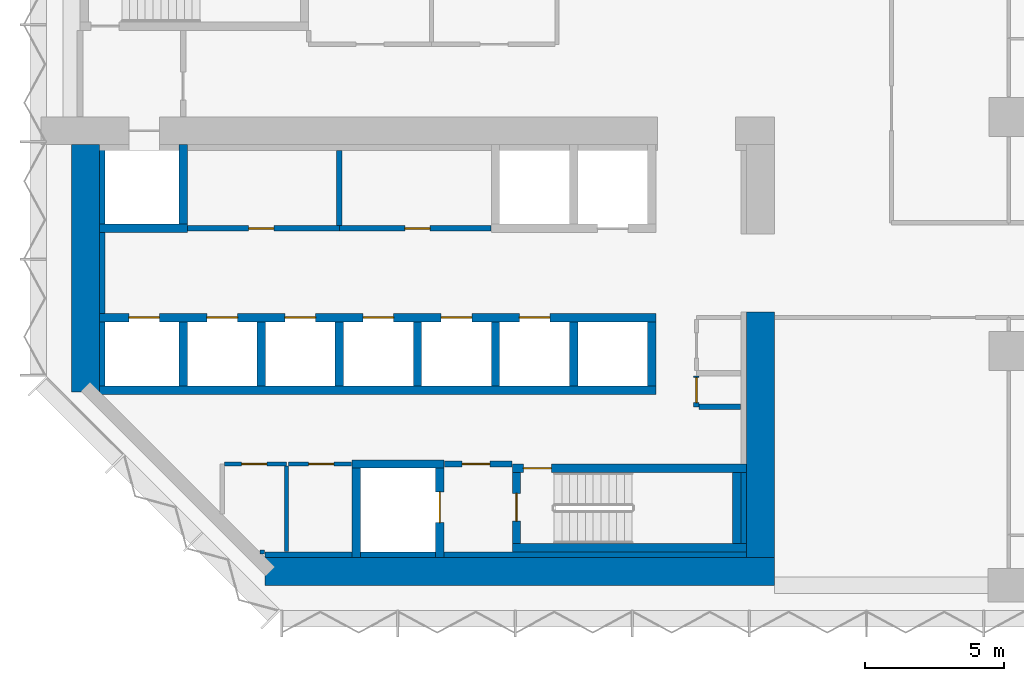
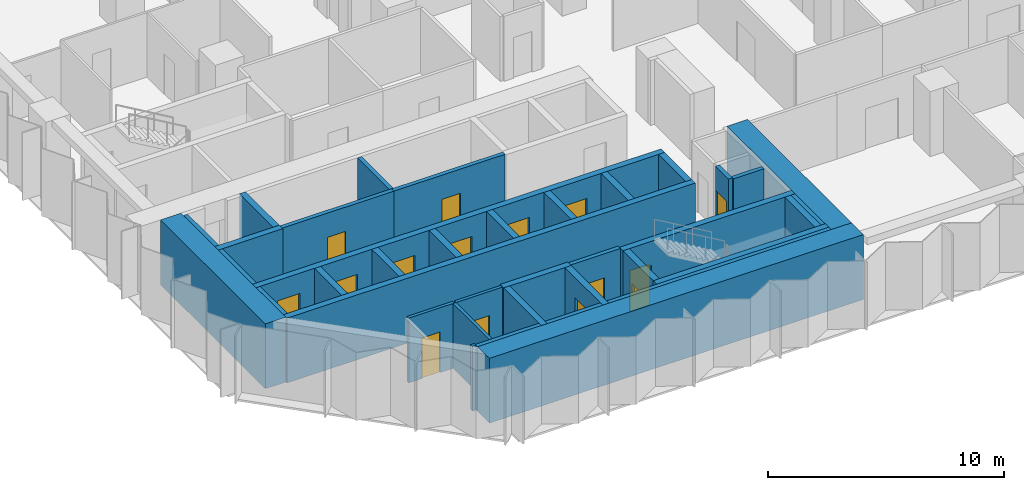
# One storey, part 7 of 15: 38 walls, 15 doors, 15 openings.
"""IFC4 building model written with IfcOpenShell, lengths in metres."""

from ifc_helpers import new_model, si_unit, direction, frame, frame_2d, origin, place, context, subcontext, project, spatial, rectangle, extrude, material, layer, layer_set, type_object, element, fill, save


model = new_model("IFC4")

# Units and contexts
model_context = context("Model", 3, precision=1e-05, world=origin(), true_north=direction((0.0, 1.0)))
body_context = subcontext(model_context, "Body", "Model", "MODEL_VIEW")
ifc_project = project(units=[si_unit("LENGTHUNIT", "METRE"), si_unit("AREAUNIT", "SQUARE_METRE"), si_unit("VOLUMEUNIT", "CUBIC_METRE"), si_unit("PLANEANGLEUNIT", "RADIAN"), si_unit("MASSUNIT", "GRAM", prefix="KILO")], contexts=[model_context])

# Site, building, storey
site_placement = place(None, origin())
site = spatial("IfcSite", under=ifc_project, at=site_placement, CompositionType="ELEMENT")
building_placement = place(site_placement, origin())
building = spatial("IfcBuilding", under=site, at=building_placement, Name="Brevane Broadcast Tower", CompositionType="ELEMENT")
storey_placement = place(building_placement, frame((0.0, 0.0, 43.699951171875)))
storey = spatial("IfcBuildingStorey", under=building, at=storey_placement, Name="L08", CompositionType="ELEMENT", Elevation=43.699951171875)

# Walls
ifc_material_1 = material(Name="Concrete C32/40", Category="concrete")
ifc_layer_1 = layer(ifc_material_1, 0.199951171875)
ifc_layer_set_1 = layer_set([ifc_layer_1], Name="Core chase wall 200 mm")
wall_type_1 = type_object("IfcWallType", Name="Core chase wall 200 mm", PredefinedType="PARTITIONING", material=ifc_layer_set_1)
wall_1_placement = place(storey_placement, frame((1.10009765625, 7.14990234375, 0.0), z_axis=(0.0, 0.0, 1.0), x_axis=(0.0, 1.0, 0.0)))
element("IfcWall", 1, at=wall_1_placement, inside=storey, type_object=wall_type_1, Name="L08 chase wall LW-2-1", PredefinedType="PARTITIONING", context=body_context, shape_type="SweptSolid", body=[
    extrude(rectangle(XDim=2.300048828125, YDim=0.199951171875, at=frame_2d((1.14990234375, 0.0))), origin(), (0.0, 0.0, 1.0), 3.35009765625),
])
wall_2_placement = place(storey_placement, frame((1.10009765625, 9.75, 0.0), z_axis=(0.0, 0.0, 1.0), x_axis=(0.0, 1.0, 0.0)))
element("IfcWall", 2, at=wall_2_placement, inside=storey, type_object=wall_type_1, Name="L08 chase wall LW-2-2-1", PredefinedType="PARTITIONING", context=body_context, shape_type="SweptSolid", body=[
    extrude(rectangle(XDim=2.89990234375, YDim=0.199951171875, at=frame_2d((1.449951171875, 0.0))), origin(), (0.0, 0.0, 1.0), 3.35009765625),
])
wall_3_placement = place(storey_placement, frame((1.10009765625, 12.949951171875, 0.0), z_axis=(0.0, 0.0, 1.0), x_axis=(0.0, 1.0, 0.0)))
element("IfcWall", 3, at=wall_3_placement, inside=storey, type_object=wall_type_1, Name="L08 chase wall LW-2-2-2", PredefinedType="PARTITIONING", context=body_context, shape_type="SweptSolid", body=[
    extrude(rectangle(XDim=2.650146484375, YDim=0.199951171875, at=frame_2d((1.3251953125, 0.0))), origin(), (0.0, 0.0, 1.0), 3.35009765625),
])
wall_4_placement = place(storey_placement, frame((6.936279296875, 1.10009765625, 0.0), z_axis=(0.0, 0.0, 1.0), x_axis=(1.0, 0.0, 0.0)))
element("IfcWall", 4, at=wall_4_placement, inside=storey, type_object=wall_type_1, Name="L08 chase wall LS-1", PredefinedType="PARTITIONING", context=body_context, shape_type="SweptSolid", body=[
    extrude(rectangle(XDim=3.11376953125, YDim=0.199951171875, at=frame_2d((1.556884765625, 0.0))), origin(), (0.0, 0.0, 1.0), 3.35009765625),
])
wall_5_placement = place(storey_placement, frame((10.35009765625, 1.10009765625, 0.0), z_axis=(0.0, 0.0, 1.0), x_axis=(1.0, 0.0, 0.0)))
element("IfcWall", 5, at=wall_5_placement, inside=storey, type_object=wall_type_1, Name="L08 chase wall LS-2-1", PredefinedType="PARTITIONING", context=body_context, shape_type="SweptSolid", body=[
    extrude(rectangle(XDim=2.699951171875, YDim=0.199951171875, at=frame_2d((1.35009765625, 0.0))), origin(), (0.0, 0.0, 1.0), 3.35009765625),
])
wall_6_placement = place(storey_placement, frame((13.35009765625, 1.10009765625, 0.0), z_axis=(0.0, 0.0, 1.0), x_axis=(1.0, 0.0, 0.0)))
element("IfcWall", 6, at=wall_6_placement, inside=storey, type_object=wall_type_1, Name="L08 chase wall LS-2-2", PredefinedType="PARTITIONING", context=body_context, shape_type="SweptSolid", body=[
    extrude(rectangle(XDim=10.849853515625, YDim=0.199951171875, at=frame_2d((5.4248046875, 0.0))), origin(), (0.0, 0.0, 1.0), 3.35009765625),
])
wall_7_placement = place(storey_placement, frame((24.10009765625, 1.5, 0.0), z_axis=(0.0, 0.0, 1.0), x_axis=(0.0, 1.0, 0.0)))
element("IfcWall", 7, at=wall_7_placement, inside=storey, type_object=wall_type_1, Name="L08 chase wall LE1-2-1", PredefinedType="PARTITIONING", context=body_context, shape_type="SweptSolid", body=[
    extrude(rectangle(XDim=2.550048828125, YDim=0.199951171875, at=frame_2d((1.27490234375, 0.0))), origin(), (0.0, 0.0, 1.0), 3.35009765625),
])

# Wall, opening, door
ifc_material_2 = material(Name="Gypsum board on steel studs", Category="steel")
ifc_layer_2 = layer(ifc_material_2, 0.14990234375)
ifc_layer_set_2 = layer_set([ifc_layer_2], Name="Core fire partition 150 mm")
wall_type_2 = type_object("IfcWallType", Name="Core fire partition 150 mm", PredefinedType="PARTITIONING", material=ifc_layer_set_2)
wall_8_placement = place(storey_placement, frame((5.47509765625, 4.35009765625, 0.0), z_axis=(0.0, 0.0, 1.0), x_axis=(1.0, 0.0, 0.0)))
wall_8 = element("IfcWall", 8, at=wall_8_placement, inside=storey, type_object=wall_type_2, Name="L08 partition wall P11", PredefinedType="PARTITIONING", context=body_context, shape_type="SweptSolid", body=[
    extrude(rectangle(XDim=2.224853515625, YDim=0.14990234375, at=frame_2d((1.1123046875, 0.0))), origin(), (0.0, 0.0, 1.0), 3.35009765625),
])
opening_1_placement = place(wall_8_placement, frame((0.625, 0.0, 0.0)))
opening_1 = element("IfcOpeningElement", 9, at=opening_1_placement, cuts=wall_8, Name="Opening L08-K16", PredefinedType="OPENING", context=body_context, shape_type="SweptSolid", body=[
    extrude(rectangle(XDim=0.89990234375, YDim=2.10009765625, at=frame_2d((0.449951171875, 1.050048828125))), frame((0.0, 0.0849609375, 0.0), z_axis=(0.0, -1.0, 0.0), x_axis=(1.0, 0.0, 0.0)), (0.0, 0.0, 1.0), 0.169921875),
])
ifc_material_3 = material(Name="Timber", Category="wood")
door_type_1 = type_object("IfcDoorType", Name="Toilet door 900 x 2100", OperationType="SINGLE_SWING_LEFT", PredefinedType="DOOR", material=ifc_material_3)
door_1_placement = place(opening_1_placement, origin())
door_1 = element("IfcDoor", 10, at=door_1_placement, inside=storey, type_object=door_type_1, Name="Door L08-K16", OperationType="SINGLE_SWING_RIGHT", OverallHeight=2.10009765625, OverallWidth=0.89990234375, PredefinedType="DOOR", context=body_context, shape_type="SweptSolid", body=[
    extrude(rectangle(XDim=0.89990234375, YDim=2.10009765625, at=frame_2d((0.449951171875, 1.050048828125))), frame((0.0, 0.02490234375, 0.0), z_axis=(0.0, -1.0, 0.0), x_axis=(1.0, 0.0, 0.0)), (0.0, 0.0, 1.0), 0.050048828125),
])
fill(opening_1, door_1)

# Walls
wall_9_placement = place(storey_placement, frame((7.699951171875, 4.27490234375, 0.0), z_axis=(0.0, 0.0, 1.0), x_axis=(0.0, -1.0, 0.0)))
element("IfcWall", 11, at=wall_9_placement, inside=storey, type_object=wall_type_2, Name="L08 partition wall P12", PredefinedType="PARTITIONING", context=body_context, shape_type="SweptSolid", body=[
    extrude(rectangle(XDim=3.06298828125, YDim=0.14990234375, at=frame_2d((1.531494140625, 0.0))), origin(), (0.0, 0.0, 1.0), 3.35009765625),
])
wall_10_placement = place(storey_placement, frame((6.92431640625, 1.199951171875, 0.0), z_axis=(0.0, 0.0, 1.0), x_axis=(-1.0, 0.0, 0.0)))
element("IfcWall", 12, at=wall_10_placement, inside=storey, type_object=wall_type_2, Name="L08 partition wall P13", PredefinedType="PARTITIONING", context=body_context, shape_type="SweptSolid", body=[
    extrude(rectangle(XDim=0.1708984375, YDim=0.14990234375, at=frame_2d((0.08544921875, 0.0))), origin(), (0.0, 0.0, 1.0), 3.35009765625),
])

# Wall, opening, door
wall_11_placement = place(storey_placement, frame((10.0380859375, 4.35009765625, 0.0), z_axis=(0.0, 0.0, 1.0), x_axis=(-1.0, 0.0, 0.0)))
wall_11 = element("IfcWall", 13, at=wall_11_placement, inside=storey, type_object=wall_type_2, Name="L08 partition wall P14", PredefinedType="PARTITIONING", context=body_context, shape_type="SweptSolid", body=[
    extrude(rectangle(XDim=2.26318359375, YDim=0.14990234375, at=frame_2d((1.131591796875, 0.0))), origin(), (0.0, 0.0, 1.0), 3.35009765625),
])
opening_2_placement = place(wall_11_placement, frame((0.637939453125, 0.0, 0.0)))
opening_2 = element("IfcOpeningElement", 14, at=opening_2_placement, cuts=wall_11, Name="Opening L08-K17", PredefinedType="OPENING", context=body_context, shape_type="SweptSolid", body=[
    extrude(rectangle(XDim=0.89990234375, YDim=2.10009765625, at=frame_2d((0.449951171875, 1.050048828125))), frame((0.0, 0.0849609375, 0.0), z_axis=(0.0, -1.0, 0.0), x_axis=(1.0, 0.0, 0.0)), (0.0, 0.0, 1.0), 0.169921875),
])
door_2_placement = place(opening_2_placement, origin())
door_2 = element("IfcDoor", 15, at=door_2_placement, inside=storey, type_object=door_type_1, Name="Door L08-K17", OperationType="SINGLE_SWING_LEFT", OverallHeight=2.10009765625, OverallWidth=0.89990234375, PredefinedType="DOOR", context=body_context, shape_type="SweptSolid", body=[
    extrude(rectangle(XDim=0.89990234375, YDim=2.10009765625, at=frame_2d((0.449951171875, 1.050048828125))), frame((0.0, 0.02490234375, 0.0), z_axis=(0.0, -1.0, 0.0), x_axis=(1.0, 0.0, 0.0)), (0.0, 0.0, 1.0), 0.050048828125),
])
fill(opening_2, door_2)

ifc_layer_3 = layer(ifc_material_2, 0.199951171875)
ifc_layer_set_3 = layer_set([ifc_layer_3], Name="Core fire partition 200 mm")
wall_type_3 = type_object("IfcWallType", Name="Core fire partition 200 mm", PredefinedType="PARTITIONING", material=ifc_layer_set_3)
wall_12_placement = place(storey_placement, frame((13.362060546875, 4.35009765625, 0.0), z_axis=(0.0, 0.0, 1.0), x_axis=(1.0, 0.0, 0.0)))
wall_12 = element("IfcWall", 16, at=wall_12_placement, inside=storey, type_object=wall_type_3, Name="L08 partition wall P03", PredefinedType="PARTITIONING", context=body_context, shape_type="SweptSolid", body=[
    extrude(rectangle(XDim=2.426025390625, YDim=0.199951171875, at=frame_2d((1.212890625, 0.0))), origin(), (0.0, 0.0, 1.0), 3.35009765625),
])
opening_3_placement = place(wall_12_placement, frame((0.637939453125, 0.0, 0.0)))
opening_3 = element("IfcOpeningElement", 17, at=opening_3_placement, cuts=wall_12, Name="Opening L08-K18", PredefinedType="OPENING", context=body_context, shape_type="SweptSolid", body=[
    extrude(rectangle(XDim=1.0, YDim=2.10009765625, at=frame_2d((0.5, 1.050048828125))), frame((0.0, 0.10986328125, 0.0), z_axis=(0.0, -1.0, 0.0), x_axis=(1.0, 0.0, 0.0)), (0.0, 0.0, 1.0), 0.219970703125),
])
ifc_material_4 = material(Name="Steel", Category="steel")
door_type_2 = type_object("IfcDoorType", Name="Stair door 1000 x 2100", OperationType="SINGLE_SWING_LEFT", PredefinedType="DOOR", material=ifc_material_4)
door_3_placement = place(opening_3_placement, origin())
door_3 = element("IfcDoor", 18, at=door_3_placement, inside=storey, type_object=door_type_2, Name="Door L08-K18", OperationType="SINGLE_SWING_RIGHT", OverallHeight=2.10009765625, OverallWidth=1.0, PredefinedType="DOOR", context=body_context, shape_type="SweptSolid", body=[
    extrude(rectangle(XDim=1.0, YDim=2.10009765625, at=frame_2d((0.5, 1.050048828125))), frame((0.0, 0.02490234375, 0.0), z_axis=(0.0, -1.0, 0.0), x_axis=(1.0, 0.0, 0.0)), (0.0, 0.0, 1.0), 0.050048828125),
])
fill(opening_3, door_3)

wall_13_placement = place(storey_placement, frame((4.162109375, 12.800048828125, 0.0), z_axis=(0.0, 0.0, 1.0), x_axis=(1.0, 0.0, 0.0)))
wall_13 = element("IfcWall", 19, at=wall_13_placement, inside=storey, type_object=wall_type_3, Name="L08 partition wall P04", PredefinedType="PARTITIONING", context=body_context, shape_type="SweptSolid", body=[
    extrude(rectangle(XDim=5.43798828125, YDim=0.199951171875, at=frame_2d((2.718994140625, 0.0))), origin(), (0.0, 0.0, 1.0), 3.35009765625),
])
opening_4_placement = place(wall_13_placement, frame((2.18798828125, 0.0, 0.0)))
opening_4 = element("IfcOpeningElement", 20, at=opening_4_placement, cuts=wall_13, Name="Opening L08-K21", PredefinedType="OPENING", context=body_context, shape_type="SweptSolid", body=[
    extrude(rectangle(XDim=0.89990234375, YDim=2.10009765625, at=frame_2d((0.449951171875, 1.050048828125))), frame((0.0, 0.10986328125, 0.0), z_axis=(0.0, -1.0, 0.0), x_axis=(1.0, 0.0, 0.0)), (0.0, 0.0, 1.0), 0.219970703125),
])
door_type_3 = type_object("IfcDoorType", Name="Service room door 900 x 2100", OperationType="SINGLE_SWING_LEFT", PredefinedType="DOOR", material=ifc_material_4)
door_4_placement = place(opening_4_placement, origin())
door_4 = element("IfcDoor", 21, at=door_4_placement, inside=storey, type_object=door_type_3, Name="Door L08-K21", OperationType="SINGLE_SWING_LEFT", OverallHeight=2.10009765625, OverallWidth=0.89990234375, PredefinedType="DOOR", context=body_context, shape_type="SweptSolid", body=[
    extrude(rectangle(XDim=0.89990234375, YDim=2.10009765625, at=frame_2d((0.449951171875, 1.050048828125))), frame((0.0, 0.02490234375, 0.0), z_axis=(0.0, -1.0, 0.0), x_axis=(1.0, 0.0, 0.0)), (0.0, 0.0, 1.0), 0.050048828125),
])
fill(opening_4, door_4)

wall_14_placement = place(storey_placement, frame((9.60009765625, 12.800048828125, 0.0), z_axis=(0.0, 0.0, 1.0), x_axis=(1.0, 0.0, 0.0)))
wall_14 = element("IfcWall", 22, at=wall_14_placement, inside=storey, type_object=wall_type_3, Name="L08 partition wall P05", PredefinedType="PARTITIONING", context=body_context, shape_type="SweptSolid", body=[
    extrude(rectangle(XDim=5.43798828125, YDim=0.199951171875, at=frame_2d((2.718994140625, 0.0))), origin(), (0.0, 0.0, 1.0), 3.35009765625),
])
opening_5_placement = place(wall_14_placement, frame((2.35009765625, 0.0, 0.0)))
opening_5 = element("IfcOpeningElement", 23, at=opening_5_placement, cuts=wall_14, Name="Opening L08-K22", PredefinedType="OPENING", context=body_context, shape_type="SweptSolid", body=[
    extrude(rectangle(XDim=0.89990234375, YDim=2.10009765625, at=frame_2d((0.449951171875, 1.050048828125))), frame((0.0, 0.10986328125, 0.0), z_axis=(0.0, -1.0, 0.0), x_axis=(1.0, 0.0, 0.0)), (0.0, 0.0, 1.0), 0.219970703125),
])
door_5_placement = place(opening_5_placement, origin())
door_5 = element("IfcDoor", 24, at=door_5_placement, inside=storey, type_object=door_type_3, Name="Door L08-K22", OperationType="SINGLE_SWING_RIGHT", OverallHeight=2.10009765625, OverallWidth=0.89990234375, PredefinedType="DOOR", context=body_context, shape_type="SweptSolid", body=[
    extrude(rectangle(XDim=0.89990234375, YDim=2.10009765625, at=frame_2d((0.449951171875, 1.050048828125))), frame((0.0, 0.02490234375, 0.0), z_axis=(0.0, -1.0, 0.0), x_axis=(1.0, 0.0, 0.0)), (0.0, 0.0, 1.0), 0.050048828125),
])
fill(opening_5, door_5)

# Wall
wall_15_placement = place(storey_placement, frame((9.60009765625, 15.587890625, 0.0), z_axis=(0.0, 0.0, 1.0), x_axis=(0.0, -1.0, 0.0)))
element("IfcWall", 25, at=wall_15_placement, inside=storey, type_object=wall_type_3, Name="L08 partition wall P06", PredefinedType="PARTITIONING", context=body_context, shape_type="SweptSolid", body=[
    extrude(rectangle(XDim=2.68798828125, YDim=0.199951171875, at=frame_2d((1.343994140625, 0.0))), origin(), (0.0, 0.0, 1.0), 3.35009765625),
])

# Wall, opening, door
wall_16_placement = place(storey_placement, frame((22.39990234375, 7.5, 0.0), z_axis=(0.0, 0.0, 1.0), x_axis=(0.0, -1.0, 0.0)))
wall_16 = element("IfcWall", 26, at=wall_16_placement, inside=storey, type_object=wall_type_3, Name="L08 partition wall P08", PredefinedType="PARTITIONING", context=body_context, shape_type="SweptSolid", body=[
    extrude(rectangle(XDim=1.10009765625, YDim=0.199951171875, at=frame_2d((0.550048828125, 0.0))), origin(), (0.0, 0.0, 1.0), 3.35009765625),
])
opening_6_placement = place(wall_16_placement, frame((0.050048828125, 0.0, 0.0)))
opening_6 = element("IfcOpeningElement", 27, at=opening_6_placement, cuts=wall_16, Name="Opening L08-K19", PredefinedType="OPENING", context=body_context, shape_type="SweptSolid", body=[
    extrude(rectangle(XDim=0.89990234375, YDim=2.10009765625, at=frame_2d((0.449951171875, 1.050048828125))), frame((0.0, 0.10986328125, 0.0), z_axis=(0.0, -1.0, 0.0), x_axis=(1.0, 0.0, 0.0)), (0.0, 0.0, 1.0), 0.219970703125),
])
door_6_placement = place(opening_6_placement, origin())
door_6 = element("IfcDoor", 28, at=door_6_placement, inside=storey, type_object=door_type_3, Name="Door L08-K19", OperationType="SINGLE_SWING_LEFT", OverallHeight=2.10009765625, OverallWidth=0.89990234375, PredefinedType="DOOR", context=body_context, shape_type="SweptSolid", body=[
    extrude(rectangle(XDim=0.89990234375, YDim=2.10009765625, at=frame_2d((0.449951171875, 1.050048828125))), frame((0.0, 0.02490234375, 0.0), z_axis=(0.0, -1.0, 0.0), x_axis=(1.0, 0.0, 0.0)), (0.0, 0.0, 1.0), 0.050048828125),
])
fill(opening_6, door_6)

# Walls
wall_17_placement = place(storey_placement, frame((22.5, 6.39990234375, 0.0), z_axis=(0.0, 0.0, 1.0), x_axis=(1.0, 0.0, 0.0)))
element("IfcWall", 29, at=wall_17_placement, inside=storey, type_object=wall_type_3, Name="L08 partition wall P09", PredefinedType="PARTITIONING", context=body_context, shape_type="SweptSolid", body=[
    extrude(rectangle(XDim=1.488037109375, YDim=0.199951171875, at=frame_2d((0.744140625, 0.0))), origin(), (0.0, 0.0, 1.0), 3.35009765625),
])
ifc_material_5 = material(Name="Concrete C80/95", Category="concrete")
ifc_layer_4 = layer(ifc_material_5, 1.0)
ifc_layer_set_4 = layer_set([ifc_layer_4], Name="Core wall 1000 mm C80/95")
wall_type_4 = type_object("IfcWallType", Name="Core wall 1000 mm C80/95", PredefinedType="SHEAR", material=ifc_layer_set_4)
wall_18_placement = place(storey_placement, frame((6.936279296875, 0.5, 0.0), z_axis=(0.0, 0.0, 1.0), x_axis=(1.0, 0.0, 0.0)))
element("IfcWall", 30, at=wall_18_placement, inside=storey, type_object=wall_type_4, Name="L08 outer wall WS", PredefinedType="SHEAR", context=body_context, shape_type="SweptSolid", body=[
    extrude(rectangle(XDim=18.263671875, YDim=1.0, at=frame_2d((9.1318359375, 0.0))), origin(), (0.0, 0.0, 1.0), 3.35009765625),
])
wall_19_placement = place(storey_placement, frame((0.5, 6.936279296875, 0.0), z_axis=(0.0, 0.0, 1.0), x_axis=(0.0, 1.0, 0.0)))
element("IfcWall", 31, at=wall_19_placement, inside=storey, type_object=wall_type_4, Name="L08 outer wall WW", PredefinedType="SHEAR", context=body_context, shape_type="SweptSolid", body=[
    extrude(rectangle(XDim=8.86376953125, YDim=1.0, at=frame_2d((4.431884765625, 0.0))), origin(), (0.0, 0.0, 1.0), 3.35009765625),
])
wall_20_placement = place(storey_placement, frame((24.699951171875, 1.0, 0.0), z_axis=(0.0, 0.0, 1.0), x_axis=(0.0, 1.0, 0.0)))
element("IfcWall", 32, at=wall_20_placement, inside=storey, type_object=wall_type_4, Name="L08 outer wall WE1", PredefinedType="SHEAR", context=body_context, shape_type="SweptSolid", body=[
    extrude(rectangle(XDim=8.800048828125, YDim=1.0, at=frame_2d((4.39990234375, 0.0))), origin(), (0.0, 0.0, 1.0), 3.35009765625),
])
ifc_layer_5 = layer(ifc_material_5, 0.300048828125)
ifc_layer_set_5 = layer_set([ifc_layer_5], Name="Core wall 300 mm C80/95")
wall_type_5 = type_object("IfcWallType", Name="Core wall 300 mm C80/95", PredefinedType="SHEAR", material=ifc_layer_set_5)
wall_21_placement = place(storey_placement, frame((1.0, 7.0, 0.0), z_axis=(0.0, 0.0, 1.0), x_axis=(1.0, 0.0, 0.0)))
element("IfcWall", 33, at=wall_21_placement, inside=storey, type_object=wall_type_5, Name="L08 shaft wall SH-S012-back", PredefinedType="SHEAR", context=body_context, shape_type="SweptSolid", body=[
    extrude(rectangle(XDim=19.949951171875, YDim=0.300048828125, at=frame_2d((9.97509765625, 0.0))), origin(), (0.0, 0.0, 1.0), 3.35009765625),
])

# Wall, openings, doors
wall_22_placement = place(storey_placement, frame((1.0, 9.60009765625, 0.0), z_axis=(0.0, 0.0, 1.0), x_axis=(1.0, 0.0, 0.0)))
wall_22 = element("IfcWall", 34, at=wall_22_placement, inside=storey, type_object=wall_type_5, Name="L08 shaft wall SH-S012-front", PredefinedType="SHEAR", context=body_context, shape_type="SweptSolid", body=[
    extrude(rectangle(XDim=19.949951171875, YDim=0.300048828125, at=frame_2d((9.97509765625, 0.0))), origin(), (0.0, 0.0, 1.0), 3.35009765625),
])
opening_7_placement = place(wall_22_placement, frame((1.050048828125, 0.0, 0.0)))
opening_7 = element("IfcOpeningElement", 35, at=opening_7_placement, cuts=wall_22, Name="Opening LD", PredefinedType="OPENING", context=body_context, shape_type="SweptSolid", body=[
    extrude(rectangle(XDim=1.10009765625, YDim=2.300048828125, at=frame_2d((0.550048828125, 1.14990234375))), frame((0.0, 0.159912109375, 0.0), z_axis=(0.0, -1.0, 0.0), x_axis=(1.0, 0.0, 0.0)), (0.0, 0.0, 1.0), 0.320068359375),
])
opening_8_placement = place(wall_22_placement, frame((3.85009765625, 0.0, 0.0)))
opening_8 = element("IfcOpeningElement", 36, at=opening_8_placement, cuts=wall_22, Name="Opening LD", PredefinedType="OPENING", context=body_context, shape_type="SweptSolid", body=[
    extrude(rectangle(XDim=1.10009765625, YDim=2.300048828125, at=frame_2d((0.550048828125, 1.14990234375))), frame((0.0, 0.159912109375, 0.0), z_axis=(0.0, -1.0, 0.0), x_axis=(1.0, 0.0, 0.0)), (0.0, 0.0, 1.0), 0.320068359375),
])
opening_9_placement = place(wall_22_placement, frame((6.64990234375, 0.0, 0.0)))
opening_9 = element("IfcOpeningElement", 37, at=opening_9_placement, cuts=wall_22, Name="Opening LD", PredefinedType="OPENING", context=body_context, shape_type="SweptSolid", body=[
    extrude(rectangle(XDim=1.10009765625, YDim=2.300048828125, at=frame_2d((0.550048828125, 1.14990234375))), frame((0.0, 0.159912109375, 0.0), z_axis=(0.0, -1.0, 0.0), x_axis=(1.0, 0.0, 0.0)), (0.0, 0.0, 1.0), 0.320068359375),
])
opening_10_placement = place(wall_22_placement, frame((9.449951171875, 0.0, 0.0)))
opening_10 = element("IfcOpeningElement", 38, at=opening_10_placement, cuts=wall_22, Name="Opening LD", PredefinedType="OPENING", context=body_context, shape_type="SweptSolid", body=[
    extrude(rectangle(XDim=1.10009765625, YDim=2.300048828125, at=frame_2d((0.550048828125, 1.14990234375))), frame((0.0, 0.159912109375, 0.0), z_axis=(0.0, -1.0, 0.0), x_axis=(1.0, 0.0, 0.0)), (0.0, 0.0, 1.0), 0.320068359375),
])
opening_11_placement = place(wall_22_placement, frame((12.25, 0.0, 0.0)))
opening_11 = element("IfcOpeningElement", 39, at=opening_11_placement, cuts=wall_22, Name="Opening LD", PredefinedType="OPENING", context=body_context, shape_type="SweptSolid", body=[
    extrude(rectangle(XDim=1.10009765625, YDim=2.300048828125, at=frame_2d((0.550048828125, 1.14990234375))), frame((0.0, 0.159912109375, 0.0), z_axis=(0.0, -1.0, 0.0), x_axis=(1.0, 0.0, 0.0)), (0.0, 0.0, 1.0), 0.320068359375),
])
opening_12_placement = place(wall_22_placement, frame((15.050048828125, 0.0, 0.0)))
opening_12 = element("IfcOpeningElement", 40, at=opening_12_placement, cuts=wall_22, Name="Opening LD", PredefinedType="OPENING", context=body_context, shape_type="SweptSolid", body=[
    extrude(rectangle(XDim=1.10009765625, YDim=2.300048828125, at=frame_2d((0.550048828125, 1.14990234375))), frame((0.0, 0.159912109375, 0.0), z_axis=(0.0, -1.0, 0.0), x_axis=(1.0, 0.0, 0.0)), (0.0, 0.0, 1.0), 0.320068359375),
])
ifc_material_6 = material(Name="Stainless steel", Category="steel")
door_type_4 = type_object("IfcDoorType", Name="Lift landing door", OperationType="SLIDING_TO_LEFT", PredefinedType="DOOR", material=ifc_material_6)
door_7_placement = place(opening_7_placement, origin())
door_7 = element("IfcDoor", 41, at=door_7_placement, inside=storey, type_object=door_type_4, Name="Landing door LR1 L08", OperationType="SLIDING_TO_LEFT", OverallHeight=2.300048828125, OverallWidth=1.10009765625, PredefinedType="DOOR", context=body_context, shape_type="SweptSolid", body=[
    extrude(rectangle(XDim=1.10009765625, YDim=2.300048828125, at=frame_2d((0.550048828125, 1.14990234375))), frame((0.0, 0.02490234375, 0.0), z_axis=(0.0, -1.0, 0.0), x_axis=(1.0, 0.0, 0.0)), (0.0, 0.0, 1.0), 0.050048828125),
])
fill(opening_7, door_7)
door_8_placement = place(opening_8_placement, origin())
door_8 = element("IfcDoor", 42, at=door_8_placement, inside=storey, type_object=door_type_4, Name="Landing door LR2 L08", OperationType="SLIDING_TO_LEFT", OverallHeight=2.300048828125, OverallWidth=1.10009765625, PredefinedType="DOOR", context=body_context, shape_type="SweptSolid", body=[
    extrude(rectangle(XDim=1.10009765625, YDim=2.300048828125, at=frame_2d((0.550048828125, 1.14990234375))), frame((0.0, 0.02490234375, 0.0), z_axis=(0.0, -1.0, 0.0), x_axis=(1.0, 0.0, 0.0)), (0.0, 0.0, 1.0), 0.050048828125),
])
fill(opening_8, door_8)
door_9_placement = place(opening_9_placement, origin())
door_9 = element("IfcDoor", 43, at=door_9_placement, inside=storey, type_object=door_type_4, Name="Landing door LR3 L08", OperationType="SLIDING_TO_LEFT", OverallHeight=2.300048828125, OverallWidth=1.10009765625, PredefinedType="DOOR", context=body_context, shape_type="SweptSolid", body=[
    extrude(rectangle(XDim=1.10009765625, YDim=2.300048828125, at=frame_2d((0.550048828125, 1.14990234375))), frame((0.0, 0.02490234375, 0.0), z_axis=(0.0, -1.0, 0.0), x_axis=(1.0, 0.0, 0.0)), (0.0, 0.0, 1.0), 0.050048828125),
])
fill(opening_9, door_9)
door_10_placement = place(opening_10_placement, origin())
door_10 = element("IfcDoor", 44, at=door_10_placement, inside=storey, type_object=door_type_4, Name="Landing door LR4 L08", OperationType="SLIDING_TO_LEFT", OverallHeight=2.300048828125, OverallWidth=1.10009765625, PredefinedType="DOOR", context=body_context, shape_type="SweptSolid", body=[
    extrude(rectangle(XDim=1.10009765625, YDim=2.300048828125, at=frame_2d((0.550048828125, 1.14990234375))), frame((0.0, 0.02490234375, 0.0), z_axis=(0.0, -1.0, 0.0), x_axis=(1.0, 0.0, 0.0)), (0.0, 0.0, 1.0), 0.050048828125),
])
fill(opening_10, door_10)
door_11_placement = place(opening_11_placement, origin())
door_11 = element("IfcDoor", 45, at=door_11_placement, inside=storey, type_object=door_type_4, Name="Landing door LR5 L08", OperationType="SLIDING_TO_LEFT", OverallHeight=2.300048828125, OverallWidth=1.10009765625, PredefinedType="DOOR", context=body_context, shape_type="SweptSolid", body=[
    extrude(rectangle(XDim=1.10009765625, YDim=2.300048828125, at=frame_2d((0.550048828125, 1.14990234375))), frame((0.0, 0.02490234375, 0.0), z_axis=(0.0, -1.0, 0.0), x_axis=(1.0, 0.0, 0.0)), (0.0, 0.0, 1.0), 0.050048828125),
])
fill(opening_11, door_11)
door_12_placement = place(opening_12_placement, origin())
door_12 = element("IfcDoor", 46, at=door_12_placement, inside=storey, type_object=door_type_4, Name="Landing door LR6 L08", OperationType="SLIDING_TO_LEFT", OverallHeight=2.300048828125, OverallWidth=1.10009765625, PredefinedType="DOOR", context=body_context, shape_type="SweptSolid", body=[
    extrude(rectangle(XDim=1.10009765625, YDim=2.300048828125, at=frame_2d((0.550048828125, 1.14990234375))), frame((0.0, 0.02490234375, 0.0), z_axis=(0.0, -1.0, 0.0), x_axis=(1.0, 0.0, 0.0)), (0.0, 0.0, 1.0), 0.050048828125),
])
fill(opening_12, door_12)

# Walls
for number, where, z_axis, x_axis, name in (
    (47, (4.0, 7.14990234375, 0.0), (0.0, 0.0, 1.0), (0.0, 1.0, 0.0), "L08 shaft wall SH-S-P040"),
    (48, (6.800048828125, 7.14990234375, 0.0), (0.0, 0.0, 1.0), (0.0, 1.0, 0.0), "L08 shaft wall SH-S-P068"),
    (49, (9.60009765625, 7.14990234375, 0.0), (0.0, 0.0, 1.0), (0.0, 1.0, 0.0), "L08 shaft wall SH-S-P096"),
    (50, (12.39990234375, 7.14990234375, 0.0), (0.0, 0.0, 1.0), (0.0, 1.0, 0.0), "L08 shaft wall SH-S-P124"),
    (51, (15.199951171875, 7.14990234375, 0.0), (0.0, 0.0, 1.0), (0.0, 1.0, 0.0), "L08 shaft wall SH-S-P152"),
    (52, (18.0, 7.14990234375, 0.0), (0.0, 0.0, 1.0), (0.0, 1.0, 0.0), "L08 shaft wall SH-S-P180"),
    (53, (20.800048828125, 7.14990234375, 0.0), (0.0, 0.0, 1.0), (0.0, 1.0, 0.0), "L08 shaft wall SH-S-P208"),
):
    element("IfcWall", number, at=place(storey_placement, frame(where, z_axis=z_axis, x_axis=x_axis)), inside=storey, type_object=wall_type_5, Name=name, PredefinedType="SHEAR", context=body_context, shape_type="SweptSolid", body=[
        extrude(rectangle(XDim=2.300048828125, YDim=0.300048828125, at=frame_2d((1.14990234375, 0.0))), origin(), (0.0, 0.0, 1.0), 3.35009765625),
    ])
wall_23_placement = place(storey_placement, frame((1.0, 12.800048828125, 0.0), z_axis=(0.0, 0.0, 1.0), x_axis=(1.0, 0.0, 0.0)))
element("IfcWall", 54, at=wall_23_placement, inside=storey, type_object=wall_type_5, Name="L08 shaft wall SH-N012-front", PredefinedType="SHEAR", context=body_context, shape_type="SweptSolid", body=[
    extrude(rectangle(XDim=3.14990234375, YDim=0.300048828125, at=frame_2d((1.574951171875, 0.0))), origin(), (0.0, 0.0, 1.0), 3.35009765625),
])
wall_24_placement = place(storey_placement, frame((4.0, 12.949951171875, 0.0), z_axis=(0.0, 0.0, 1.0), x_axis=(0.0, 1.0, 0.0)))
element("IfcWall", 55, at=wall_24_placement, inside=storey, type_object=wall_type_5, Name="L08 shaft wall SH-N-P040", PredefinedType="SHEAR", context=body_context, shape_type="SweptSolid", body=[
    extrude(rectangle(XDim=2.85009765625, YDim=0.300048828125, at=frame_2d((1.425048828125, 0.0))), origin(), (0.0, 0.0, 1.0), 3.35009765625),
])
wall_25_placement = place(storey_placement, frame((10.199951171875, 1.0, 0.0), z_axis=(0.0, 0.0, 1.0), x_axis=(0.0, 1.0, 0.0)))
element("IfcWall", 56, at=wall_25_placement, inside=storey, type_object=wall_type_5, Name="L08 shaft wall FF2-W", PredefinedType="SHEAR", context=body_context, shape_type="SweptSolid", body=[
    extrude(rectangle(XDim=3.199951171875, YDim=0.300048828125, at=frame_2d((1.60009765625, 0.0))), origin(), (0.0, 0.0, 1.0), 3.35009765625),
])

# Wall, opening, door
wall_26_placement = place(storey_placement, frame((13.199951171875, 1.0, 0.0), z_axis=(0.0, 0.0, 1.0), x_axis=(0.0, 1.0, 0.0)))
wall_26 = element("IfcWall", 57, at=wall_26_placement, inside=storey, type_object=wall_type_5, Name="L08 shaft wall FF2-E", PredefinedType="SHEAR", context=body_context, shape_type="SweptSolid", body=[
    extrude(rectangle(XDim=3.199951171875, YDim=0.300048828125, at=frame_2d((1.60009765625, 0.0))), origin(), (0.0, 0.0, 1.0), 3.35009765625),
])
opening_13_placement = place(wall_26_placement, frame((1.25, 0.0, 0.0)))
opening_13 = element("IfcOpeningElement", 58, at=opening_13_placement, cuts=wall_26, Name="Opening LD", PredefinedType="OPENING", context=body_context, shape_type="SweptSolid", body=[
    extrude(rectangle(XDim=1.10009765625, YDim=2.300048828125, at=frame_2d((0.550048828125, 1.14990234375))), frame((0.0, 0.159912109375, 0.0), z_axis=(0.0, -1.0, 0.0), x_axis=(1.0, 0.0, 0.0)), (0.0, 0.0, 1.0), 0.320068359375),
])
door_13_placement = place(opening_13_placement, origin())
door_13 = element("IfcDoor", 59, at=door_13_placement, inside=storey, type_object=door_type_4, Name="Landing door FF2 L08", OperationType="SLIDING_TO_LEFT", OverallHeight=2.300048828125, OverallWidth=1.10009765625, PredefinedType="DOOR", context=body_context, shape_type="SweptSolid", body=[
    extrude(rectangle(XDim=1.10009765625, YDim=2.300048828125, at=frame_2d((0.550048828125, 1.14990234375))), frame((0.0, 0.02490234375, 0.0), z_axis=(0.0, -1.0, 0.0), x_axis=(1.0, 0.0, 0.0)), (0.0, 0.0, 1.0), 0.050048828125),
])
fill(opening_13, door_13)

# Walls
wall_27_placement = place(storey_placement, frame((10.050048828125, 4.35009765625, 0.0), z_axis=(0.0, 0.0, 1.0), x_axis=(1.0, 0.0, 0.0)))
element("IfcWall", 60, at=wall_27_placement, inside=storey, type_object=wall_type_5, Name="L08 shaft wall FF2-N", PredefinedType="SHEAR", context=body_context, shape_type="SweptSolid", body=[
    extrude(rectangle(XDim=3.300048828125, YDim=0.300048828125, at=frame_2d((1.64990234375, 0.0))), origin(), (0.0, 0.0, 1.0), 3.35009765625),
])
wall_28_placement = place(storey_placement, frame((15.800048828125, 1.35009765625, 0.0), z_axis=(0.0, 0.0, 1.0), x_axis=(1.0, 0.0, 0.0)))
element("IfcWall", 61, at=wall_28_placement, inside=storey, type_object=wall_type_5, Name="L08 stair wall ST-2-S", PredefinedType="SHEAR", context=body_context, shape_type="SweptSolid", body=[
    extrude(rectangle(XDim=8.39990234375, YDim=0.300048828125, at=frame_2d((4.199951171875, 0.0))), origin(), (0.0, 0.0, 1.0), 3.35009765625),
])

# Wall, opening, door
wall_29_placement = place(storey_placement, frame((15.800048828125, 4.199951171875, 0.0), z_axis=(0.0, 0.0, 1.0), x_axis=(1.0, 0.0, 0.0)))
wall_29 = element("IfcWall", 62, at=wall_29_placement, inside=storey, type_object=wall_type_5, Name="L08 stair wall ST-2-N", PredefinedType="SHEAR", context=body_context, shape_type="SweptSolid", body=[
    extrude(rectangle(XDim=8.39990234375, YDim=0.300048828125, at=frame_2d((4.199951171875, 0.0))), origin(), (0.0, 0.0, 1.0), 3.35009765625),
])
opening_14_placement = place(wall_29_placement, frame((0.39990234375, 0.0, 0.0)))
opening_14 = element("IfcOpeningElement", 63, at=opening_14_placement, cuts=wall_29, Name="Opening L08-K13", PredefinedType="OPENING", context=body_context, shape_type="SweptSolid", body=[
    extrude(rectangle(XDim=1.0, YDim=2.10009765625, at=frame_2d((0.5, 1.050048828125))), frame((0.0, 0.159912109375, 0.0), z_axis=(0.0, -1.0, 0.0), x_axis=(1.0, 0.0, 0.0)), (0.0, 0.0, 1.0), 0.320068359375),
])
door_14_placement = place(opening_14_placement, origin())
door_14 = element("IfcDoor", 64, at=door_14_placement, inside=storey, type_object=door_type_2, Name="Door L08-K13", OperationType="SINGLE_SWING_LEFT", OverallHeight=2.10009765625, OverallWidth=1.0, PredefinedType="DOOR", context=body_context, shape_type="SweptSolid", body=[
    extrude(rectangle(XDim=1.0, YDim=2.10009765625, at=frame_2d((0.5, 1.050048828125))), frame((0.0, 0.02490234375, 0.0), z_axis=(0.0, -1.0, 0.0), x_axis=(1.0, 0.0, 0.0)), (0.0, 0.0, 1.0), 0.050048828125),
])
fill(opening_14, door_14)

wall_30_placement = place(storey_placement, frame((15.949951171875, 1.5, 0.0), z_axis=(0.0, 0.0, 1.0), x_axis=(0.0, 1.0, 0.0)))
wall_30 = element("IfcWall", 65, at=wall_30_placement, inside=storey, type_object=wall_type_5, Name="L08 stair wall ST-2-W", PredefinedType="SHEAR", context=body_context, shape_type="SweptSolid", body=[
    extrude(rectangle(XDim=2.550048828125, YDim=0.300048828125, at=frame_2d((1.27490234375, 0.0))), origin(), (0.0, 0.0, 1.0), 3.35009765625),
])
opening_15_placement = place(wall_30_placement, frame((0.800048828125, 0.0, 0.0)))
opening_15 = element("IfcOpeningElement", 66, at=opening_15_placement, cuts=wall_30, Name="Opening L08-K12", PredefinedType="OPENING", context=body_context, shape_type="SweptSolid", body=[
    extrude(rectangle(XDim=1.0, YDim=2.10009765625, at=frame_2d((0.5, 1.050048828125))), frame((0.0, 0.159912109375, 0.0), z_axis=(0.0, -1.0, 0.0), x_axis=(1.0, 0.0, 0.0)), (0.0, 0.0, 1.0), 0.320068359375),
])
door_15_placement = place(opening_15_placement, origin())
door_15 = element("IfcDoor", 67, at=door_15_placement, inside=storey, type_object=door_type_2, Name="Door L08-K12", OperationType="SINGLE_SWING_RIGHT", OverallHeight=2.10009765625, OverallWidth=1.0, PredefinedType="DOOR", context=body_context, shape_type="SweptSolid", body=[
    extrude(rectangle(XDim=1.0, YDim=2.10009765625, at=frame_2d((0.5, 1.050048828125))), frame((0.0, 0.02490234375, 0.0), z_axis=(0.0, -1.0, 0.0), x_axis=(1.0, 0.0, 0.0)), (0.0, 0.0, 1.0), 0.050048828125),
])
fill(opening_15, door_15)

# Wall
wall_31_placement = place(storey_placement, frame((23.85009765625, 1.5, 0.0), z_axis=(0.0, 0.0, 1.0), x_axis=(0.0, 1.0, 0.0)))
element("IfcWall", 68, at=wall_31_placement, inside=storey, type_object=wall_type_5, Name="L08 stair wall ST-2-E", PredefinedType="SHEAR", context=body_context, shape_type="SweptSolid", body=[
    extrude(rectangle(XDim=2.550048828125, YDim=0.300048828125, at=frame_2d((1.27490234375, 0.0))), origin(), (0.0, 0.0, 1.0), 3.35009765625),
])

save(model, "model.ifc")
